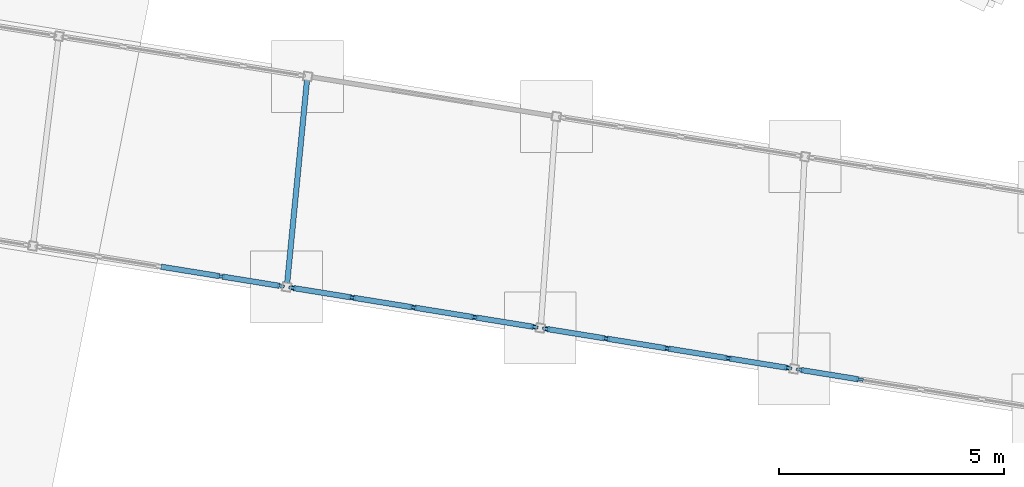
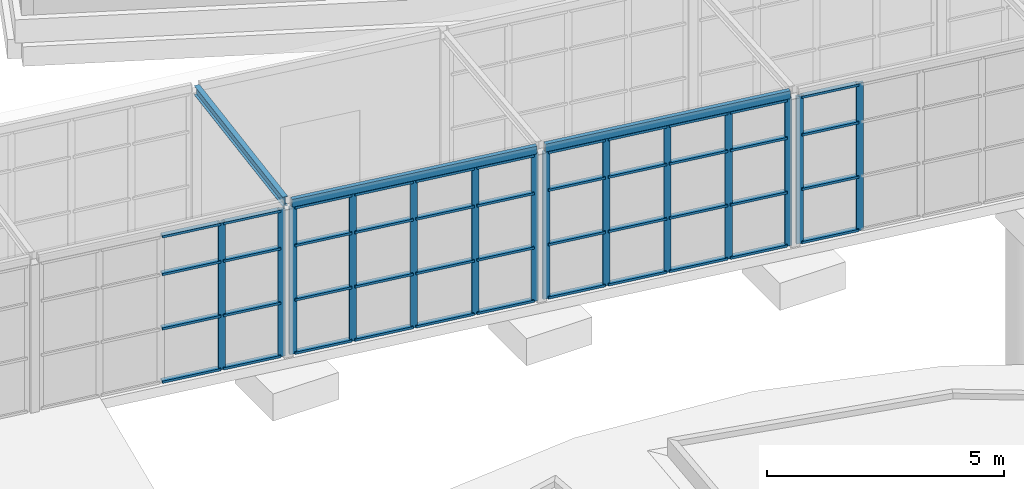
# One storey, part 79 of 226: 58 members, 3 beams, 4 elements without a shape of their own.
"""IFC4 building model written with IfcOpenShell, lengths in metres."""

import ifcopenshell
import ifcopenshell.guid

model = None  # the IFC model being written
_history = None  # IfcOwnerHistory: only IFC2X3 demands one
_inside = {}  # id of a spatial element -> (the spatial element, [elements in it])
_under = {}  # id of a project, library or spatial element -> (it, [spatial elements below it])
_declared = {}  # id of a project -> (the project, [libraries it declares])
_typed = {}  # id of a type object -> (the type object, [elements of that type])
_made_of = {}  # id of a material, layer set ... -> (it, [elements and type objects made of it])


def new_model(schema):
    """Start an empty IFC model of exactly this schema.

    Asked for "IFC4X3", IfcOpenShell would pick the latest addendum, in which some entities
    have other attributes; the version numbers below select the first issue.
    IFC2X3 requires an IfcOwnerHistory on every rooted entity: one is made here for all.
    """
    global model, _history
    if schema == "IFC4X3":
        model = ifcopenshell.file(schema_version=(4, 3, 0, 0))
    else:
        model = ifcopenshell.file(schema=schema)
    _inside.clear()
    _under.clear()
    _declared.clear()
    _typed.clear()
    _made_of.clear()
    _history = None
    if model.schema == "IFC2X3":
        org = make("IfcOrganization", Name="unknown")
        user = make(
            "IfcPersonAndOrganization",
            ThePerson=make("IfcPerson", FamilyName="unknown"),
            TheOrganization=org,
        )
        app = make(
            "IfcApplication",
            ApplicationDeveloper=org,
            Version="unknown",
            ApplicationFullName="unknown",
            ApplicationIdentifier="unknown",
        )
        _history = make(
            "IfcOwnerHistory",
            OwningUser=user,
            OwningApplication=app,
            ChangeAction="ADDED",
            CreationDate=0,
        )
    return model


def make(cls, **values):
    """One entity of the class cls with the attributes given. An attribute that is None is left unset."""
    return model.create_entity(
        cls, **{name: value for name, value in values.items() if value is not None}
    )


def rooted(cls, **values):
    """An entity with a GlobalId (a new one), such as an element, a storey or a relation."""
    return make(cls, GlobalId=ifcopenshell.guid.new(), OwnerHistory=_history, **values)


def si_unit(unit_type, name, prefix=None):
    """IfcSIUnit, for example si_unit("LENGTHUNIT", "METRE", prefix="MILLI")."""
    return make("IfcSIUnit", UnitType=unit_type, Prefix=prefix, Name=name)


def assignment(units):
    """IfcUnitAssignment: the units of a project."""
    return None if units is None else make("IfcUnitAssignment", Units=units)


def point(xyz):
    """IfcCartesianPoint."""
    return None if xyz is None else make("IfcCartesianPoint", Coordinates=xyz)


def direction(xyz):
    """IfcDirection."""
    return None if xyz is None else make("IfcDirection", DirectionRatios=xyz)


def frame(location, z_axis=None, x_axis=None):
    """IfcAxis2Placement3D, a coordinate frame: its origin and axes. An axis left out is left unset."""
    return make(
        "IfcAxis2Placement3D",
        Location=point(location),
        Axis=direction(z_axis),
        RefDirection=direction(x_axis),
    )


def frame_2d(location, x_axis=None):
    """IfcAxis2Placement2D, a coordinate frame in the plane: its origin and x axis."""
    return make(
        "IfcAxis2Placement2D", Location=point(location), RefDirection=direction(x_axis)
    )


def origin():
    """The frame at (0, 0, 0) with its axes left unset."""
    return frame((0.0, 0.0, 0.0))


def origin_2d():
    """The frame at (0, 0) in the plane with its x axis left unset."""
    return frame_2d((0.0, 0.0))


def place(relative_to, where):
    """IfcLocalPlacement: puts the frame where relative to a parent placement (None: the world)."""
    return make(
        "IfcLocalPlacement", PlacementRelTo=relative_to, RelativePlacement=where
    )


def context(
    kind, dimensions, precision=None, world=None, true_north=None, identifier=None
):
    """IfcGeometricRepresentationContext, for example the 3D "Model" context."""
    return make(
        "IfcGeometricRepresentationContext",
        ContextIdentifier=identifier,
        ContextType=kind,
        CoordinateSpaceDimension=dimensions,
        Precision=precision,
        WorldCoordinateSystem=world,
        TrueNorth=true_north,
    )


def subcontext(parent, identifier, kind, view, scale=None):
    """IfcGeometricRepresentationSubContext, for example "Body" below "Model"."""
    return make(
        "IfcGeometricRepresentationSubContext",
        ContextIdentifier=identifier,
        ContextType=kind,
        ParentContext=parent,
        TargetScale=scale,
        TargetView=view,
    )


def project(units=None, contexts=None):
    """IfcProject with its units and contexts."""
    return rooted(
        "IfcProject",
        Name="project",
        RepresentationContexts=contexts,
        UnitsInContext=assignment(units),
    )


def spatial(cls, under=None, at=None, **own):
    """A site, building, storey or space (cls), placed at a placement, below another one or the project."""
    s = rooted(cls, ObjectPlacement=at, **own)
    if under is not None:
        _under.setdefault(under.id(), (under, []))[1].append(s)
    return s


def profile(cls, at=None, kind="AREA", **sizes):
    """A parametric profile (cls). Its sizes go by their IFC names, for example OverallWidth=200.0."""
    return make(cls, ProfileType=kind, Position=at, **sizes)


def rectangle(**sizes):
    """IfcRectangleProfileDef."""
    return profile("IfcRectangleProfileDef", **sizes)


def hollow_rectangle(**sizes):
    """IfcRectangleHollowProfileDef."""
    return profile("IfcRectangleHollowProfileDef", **sizes)


def i_section(**sizes):
    """IfcIShapeProfileDef."""
    return profile("IfcIShapeProfileDef", **sizes)


def extrude(swept, where, along, depth):
    """IfcExtrudedAreaSolid: the profile swept, set in the frame where, extruded along a direction by depth."""
    return make(
        "IfcExtrudedAreaSolid",
        SweptArea=swept,
        Position=where,
        ExtrudedDirection=direction(along),
        Depth=depth,
    )


def shape(context_of_items, identifier, shape_type, items):
    """IfcShapeRepresentation: the items that make up one representation, for example the "Body"."""
    return make(
        "IfcShapeRepresentation",
        ContextOfItems=context_of_items,
        RepresentationIdentifier=identifier,
        RepresentationType=shape_type,
        Items=items,
    )


def material(Name=None, Category=None):
    """IfcMaterial."""
    return make("IfcMaterial", Name=Name, Category=Category)


def material_profile(
    of_material, cross_section, Name=None, Category=None, Priority=None
):
    """IfcMaterialProfile: a cross section and its material."""
    return make(
        "IfcMaterialProfile",
        Name=Name,
        Material=of_material,
        Profile=cross_section,
        Priority=Priority,
        Category=Category,
    )


def profile_set(profiles, Name=None, composite=None):
    """IfcMaterialProfileSet."""
    return make(
        "IfcMaterialProfileSet",
        Name=Name,
        MaterialProfiles=profiles,
        CompositeProfile=composite,
    )


def made_of(thing, what):
    """Note that an element or type object is made of a material, layer set ...; save() writes the relation."""
    if what is not None:
        _made_of.setdefault(what.id(), (what, []))[1].append(thing)
    return thing


def type_object(cls, material=None, **own):
    """A type object (cls), such as IfcWallType, which elements share."""
    return made_of(rooted(cls, **own), material)


def element(
    cls,
    number,
    at=None,
    inside=None,
    cuts=None,
    type_object=None,
    material=None,
    context=None,
    identifier="Body",
    shape_type=None,
    held_by="IfcProductDefinitionShape",
    body=None,
    shapes=None,
    **own,
):
    """One element of the class cls, such as IfcWall. Its Tag is "e" and its number.

    at: its placement. inside: the storey or other place that contains it. cuts: it is an
    opening in that element (IfcRelVoidsElement). A single representation is given by context,
    identifier, shape_type and body (its items); several are given by shapes. held_by: the class
    of the entity that holds the representations. save() writes the other relations.
    """
    e = rooted(cls, Tag="e%d" % number, ObjectPlacement=at, **own)
    if body is not None:
        shapes = [shape(context, identifier, shape_type, body)]
    if shapes is not None:
        e.Representation = make(held_by, Representations=shapes)
    if inside is not None:
        _inside.setdefault(inside.id(), (inside, []))[1].append(e)
    if cuts is not None:
        rooted(
            "IfcRelVoidsElement", RelatingBuildingElement=cuts, RelatedOpeningElement=e
        )
    if type_object is not None:
        _typed.setdefault(type_object.id(), (type_object, []))[1].append(e)
    return made_of(e, material)


def aggregate(whole, parts):
    """IfcRelAggregates: a whole, such as a stair, and the parts it consists of."""
    return rooted("IfcRelAggregates", RelatingObject=whole, RelatedObjects=parts)


def save(model, path):
    """Write the relations noted so far, then the file.

    IfcRelAggregates (storeys below a building ...), IfcRelContainedInSpatialStructure (elements
    in a storey), IfcRelDefinesByType, IfcRelAssociatesMaterial and IfcRelDeclares: one each for
    every whole, place, type object, material and project.
    """
    for whole, parts in _under.values():
        aggregate(whole, parts)
    for where, things in _inside.values():
        rooted(
            "IfcRelContainedInSpatialStructure",
            RelatedElements=things,
            RelatingStructure=where,
        )
    for kind, things in _typed.values():
        rooted("IfcRelDefinesByType", RelatedObjects=things, RelatingType=kind)
    for what, things in _made_of.values():
        rooted("IfcRelAssociatesMaterial", RelatedObjects=things, RelatingMaterial=what)
    for by, libraries in _declared.values():
        rooted("IfcRelDeclares", RelatingContext=by, RelatedDefinitions=libraries)
    model.write(path)


model = new_model("IFC4")

# Units and contexts
model_context = context("Model", 3, precision=1e-05, world=origin(), true_north=direction((0.0, 1.0)))
body_context = subcontext(model_context, "Body", "Model", "MODEL_VIEW")
ifc_project = project(units=[si_unit("LENGTHUNIT", "METRE"), si_unit("AREAUNIT", "SQUARE_METRE"), si_unit("VOLUMEUNIT", "CUBIC_METRE"), si_unit("PLANEANGLEUNIT", "RADIAN"), si_unit("MASSUNIT", "GRAM", prefix="KILO")], contexts=[model_context])

# Site, building, storey
site_placement = place(None, origin())
site = spatial("IfcSite", under=ifc_project, at=site_placement, CompositionType="ELEMENT")
building_placement = place(site_placement, origin())
building = spatial("IfcBuilding", under=site, at=building_placement, Name="Ceibo Conservatory and Research Tower", CompositionType="ELEMENT")
storey_placement = place(building_placement, origin())
storey = spatial("IfcBuildingStorey", under=building, at=storey_placement, Name="L00", CompositionType="ELEMENT", Elevation=0.0)

# Curtain wall, members
ifc_material_1 = material(Name="Aluminium and glass", Category="aluminium")
curtain_wall_type = type_object("IfcCurtainWallType", Name="Gallery curtain wall", PredefinedType="NOTDEFINED", material=ifc_material_1)
curtain_wall_1_placement = place(storey_placement, origin())
curtain_wall_1 = element("IfcCurtainWall", 1, at=curtain_wall_1_placement, inside=storey, type_object=curtain_wall_type, Name="Gallery curtain wall A-RT-CWN03", PredefinedType="NOTDEFINED")
ifc_material_2 = material(Name="Aluminium", Category="aluminium")
ifc_material_profile_1 = material_profile(ifc_material_2, rectangle(XDim=0.06005859375, YDim=0.159912109375, at=origin_2d()), Name="AL 60x160")
ifc_profile_set_1 = profile_set([ifc_material_profile_1], Name="Aluminium")
member_type_1 = type_object("IfcMemberType", Name="Gallery mullion 60x160", PredefinedType="MULLION", material=ifc_profile_set_1)
member_1_placement = place(storey_placement, frame((105.02197265625, 107.620361328125, 0.0), z_axis=(0.0, 0.0, 1.0), x_axis=(-0.159391110254, -0.987215515464, 0.0)))
member_1 = element("IfcMember", 2, at=member_1_placement, type_object=member_type_1, Name="A-RT-CWN03 mullion 4", PredefinedType="MULLION", context=body_context, shape_type="SweptSolid", body=[
    extrude(rectangle(XDim=0.06005859375, YDim=0.159912109375, at=origin_2d()), origin(), (0.0, 0.0, 1.0), 3.800048828125),
])
member_2_placement = place(storey_placement, frame((103.689697265625, 107.83544921875, 0.0), z_axis=(0.0, 0.0, 1.0), x_axis=(-0.159391110254, -0.987215515464, 0.0)))
member_2 = element("IfcMember", 3, at=member_2_placement, type_object=member_type_1, Name="A-RT-CWN03 mullion 5", PredefinedType="MULLION", context=body_context, shape_type="SweptSolid", body=[
    extrude(rectangle(XDim=0.06005859375, YDim=0.159912109375, at=origin_2d()), origin(), (0.0, 0.0, 1.0), 3.800048828125),
])

curtain_wall_2_placement = place(storey_placement, origin())
curtain_wall_2 = element("IfcCurtainWall", 4, at=curtain_wall_2_placement, inside=storey, type_object=curtain_wall_type, Name="Gallery curtain wall A-RT-CWN04", PredefinedType="NOTDEFINED")
member_3_placement = place(storey_placement, frame((103.432861328125, 107.876953125, 0.0), z_axis=(0.0, 0.0, 1.0), x_axis=(-0.159391110254, -0.987215515464, 0.0)))
member_3 = element("IfcMember", 5, at=member_3_placement, type_object=member_type_1, Name="A-RT-CWN04 mullion 1", PredefinedType="MULLION", context=body_context, shape_type="SweptSolid", body=[
    extrude(rectangle(XDim=0.06005859375, YDim=0.159912109375, at=origin_2d()), origin(), (0.0, 0.0, 1.0), 3.800048828125),
])
member_4_placement = place(storey_placement, frame((102.1005859375, 108.092041015625, 0.0), z_axis=(0.0, 0.0, 1.0), x_axis=(-0.159391110254, -0.987215515464, 0.0)))
member_4 = element("IfcMember", 6, at=member_4_placement, type_object=member_type_1, Name="A-RT-CWN04 mullion 2", PredefinedType="MULLION", context=body_context, shape_type="SweptSolid", body=[
    extrude(rectangle(XDim=0.06005859375, YDim=0.159912109375, at=origin_2d()), origin(), (0.0, 0.0, 1.0), 3.800048828125),
])
member_5_placement = place(storey_placement, frame((100.73876953125, 108.31201171875, 0.0), z_axis=(0.0, 0.0, 1.0), x_axis=(-0.159391110254, -0.987215515464, 0.0)))
member_5 = element("IfcMember", 7, at=member_5_placement, type_object=member_type_1, Name="A-RT-CWN04 mullion 3", PredefinedType="MULLION", context=body_context, shape_type="SweptSolid", body=[
    extrude(rectangle(XDim=0.06005859375, YDim=0.159912109375, at=origin_2d()), origin(), (0.0, 0.0, 1.0), 3.800048828125),
])
member_6_placement = place(storey_placement, frame((99.376953125, 108.53173828125, 0.0), z_axis=(0.0, 0.0, 1.0), x_axis=(-0.159391110254, -0.987215515464, 0.0)))
member_6 = element("IfcMember", 8, at=member_6_placement, type_object=member_type_1, Name="A-RT-CWN04 mullion 4", PredefinedType="MULLION", context=body_context, shape_type="SweptSolid", body=[
    extrude(rectangle(XDim=0.06005859375, YDim=0.159912109375, at=origin_2d()), origin(), (0.0, 0.0, 1.0), 3.800048828125),
])
member_7_placement = place(storey_placement, frame((98.044677734375, 108.746826171875, 0.0), z_axis=(0.0, 0.0, 1.0), x_axis=(-0.159391110254, -0.987215515464, 0.0)))
member_7 = element("IfcMember", 9, at=member_7_placement, type_object=member_type_1, Name="A-RT-CWN04 mullion 5", PredefinedType="MULLION", context=body_context, shape_type="SweptSolid", body=[
    extrude(rectangle(XDim=0.06005859375, YDim=0.159912109375, at=origin_2d()), origin(), (0.0, 0.0, 1.0), 3.800048828125),
])

curtain_wall_3_placement = place(storey_placement, origin())
curtain_wall_3 = element("IfcCurtainWall", 10, at=curtain_wall_3_placement, inside=storey, type_object=curtain_wall_type, Name="Gallery curtain wall A-RT-CWN05", PredefinedType="NOTDEFINED")
member_8_placement = place(storey_placement, frame((97.787841796875, 108.788330078125, 0.0), z_axis=(0.0, 0.0, 1.0), x_axis=(-0.159391110254, -0.987215515464, 0.0)))
member_8 = element("IfcMember", 11, at=member_8_placement, type_object=member_type_1, Name="A-RT-CWN05 mullion 1", PredefinedType="MULLION", context=body_context, shape_type="SweptSolid", body=[
    extrude(rectangle(XDim=0.06005859375, YDim=0.159912109375, at=origin_2d()), origin(), (0.0, 0.0, 1.0), 3.800048828125),
])
member_9_placement = place(storey_placement, frame((96.45556640625, 109.00341796875, 0.0), z_axis=(0.0, 0.0, 1.0), x_axis=(-0.159391110254, -0.987215515464, 0.0)))
member_9 = element("IfcMember", 12, at=member_9_placement, type_object=member_type_1, Name="A-RT-CWN05 mullion 2", PredefinedType="MULLION", context=body_context, shape_type="SweptSolid", body=[
    extrude(rectangle(XDim=0.06005859375, YDim=0.159912109375, at=origin_2d()), origin(), (0.0, 0.0, 1.0), 3.800048828125),
])
member_10_placement = place(storey_placement, frame((95.09375, 109.223388671875, 0.0), z_axis=(0.0, 0.0, 1.0), x_axis=(-0.159391110254, -0.987215515464, 0.0)))
member_10 = element("IfcMember", 13, at=member_10_placement, type_object=member_type_1, Name="A-RT-CWN05 mullion 3", PredefinedType="MULLION", context=body_context, shape_type="SweptSolid", body=[
    extrude(rectangle(XDim=0.06005859375, YDim=0.159912109375, at=origin_2d()), origin(), (0.0, 0.0, 1.0), 3.800048828125),
])
member_11_placement = place(storey_placement, frame((93.73193359375, 109.443115234375, 0.0), z_axis=(0.0, 0.0, 1.0), x_axis=(-0.159391110254, -0.987215515464, 0.0)))
member_11 = element("IfcMember", 14, at=member_11_placement, type_object=member_type_1, Name="A-RT-CWN05 mullion 4", PredefinedType="MULLION", context=body_context, shape_type="SweptSolid", body=[
    extrude(rectangle(XDim=0.06005859375, YDim=0.159912109375, at=origin_2d()), origin(), (0.0, 0.0, 1.0), 3.800048828125),
])
member_12_placement = place(storey_placement, frame((92.399658203125, 109.658447265625, 0.0), z_axis=(0.0, 0.0, 1.0), x_axis=(-0.159391110254, -0.987215515464, 0.0)))
member_12 = element("IfcMember", 15, at=member_12_placement, type_object=member_type_1, Name="A-RT-CWN05 mullion 5", PredefinedType="MULLION", context=body_context, shape_type="SweptSolid", body=[
    extrude(rectangle(XDim=0.06005859375, YDim=0.159912109375, at=origin_2d()), origin(), (0.0, 0.0, 1.0), 3.800048828125),
])

curtain_wall_4_placement = place(storey_placement, origin())
curtain_wall_4 = element("IfcCurtainWall", 16, at=curtain_wall_4_placement, inside=storey, type_object=curtain_wall_type, Name="Gallery curtain wall A-RT-CWN06", PredefinedType="NOTDEFINED")
member_13_placement = place(storey_placement, frame((92.142822265625, 109.69970703125, 0.0), z_axis=(0.0, 0.0, 1.0), x_axis=(-0.159391110254, -0.987215515464, 0.0)))
member_13 = element("IfcMember", 17, at=member_13_placement, type_object=member_type_1, Name="A-RT-CWN06 mullion 1", PredefinedType="MULLION", context=body_context, shape_type="SweptSolid", body=[
    extrude(rectangle(XDim=0.06005859375, YDim=0.159912109375, at=origin_2d()), origin(), (0.0, 0.0, 1.0), 3.800048828125),
])
member_14_placement = place(storey_placement, frame((90.810546875, 109.914794921875, 0.0), z_axis=(0.0, 0.0, 1.0), x_axis=(-0.159391110254, -0.987215515464, 0.0)))
member_14 = element("IfcMember", 18, at=member_14_placement, type_object=member_type_1, Name="A-RT-CWN06 mullion 2", PredefinedType="MULLION", context=body_context, shape_type="SweptSolid", body=[
    extrude(rectangle(XDim=0.06005859375, YDim=0.159912109375, at=origin_2d()), origin(), (0.0, 0.0, 1.0), 3.800048828125),
])

# Member
ifc_material_profile_2 = material_profile(ifc_material_2, rectangle(XDim=0.1201171875, YDim=0.06005859375, at=origin_2d()), Name="AL 60x120")
ifc_profile_set_2 = profile_set([ifc_material_profile_2], Name="Aluminium")
member_type_2 = type_object("IfcMemberType", Name="Gallery transom 60x120", PredefinedType="USERDEFINED", material=ifc_profile_set_2)
member_15_placement = place(storey_placement, frame((104.992431640625, 107.625244140625, 0.030029296875), z_axis=(-0.987215188865, 0.159393133082, 0.0), x_axis=(-0.159393133082, -0.987215188865, 0.0)))
member_15 = element("IfcMember", 19, at=member_15_placement, type_object=member_type_2, Name="A-RT-CWN03 transom 4.1", ObjectType="TRANSOM", PredefinedType="USERDEFINED", context=body_context, shape_type="SweptSolid", body=[
    extrude(rectangle(XDim=0.1201171875, YDim=0.06005859375, at=origin_2d()), origin(), (0.0, 0.0, 1.0), 1.289794921875),
])

member_16_placement = place(storey_placement, frame((104.992431640625, 107.625244140625, 1.39990234375), z_axis=(-0.987215188865, 0.159393133082, 0.0), x_axis=(-0.159393133082, -0.987215188865, 0.0)))
member_16 = element("IfcMember", 20, at=member_16_placement, type_object=member_type_2, Name="A-RT-CWN03 transom 4.2", ObjectType="TRANSOM", PredefinedType="USERDEFINED", context=body_context, shape_type="SweptSolid", body=[
    extrude(rectangle(XDim=0.1201171875, YDim=0.06005859375, at=origin_2d()), origin(), (0.0, 0.0, 1.0), 1.289794921875),
])

member_17_placement = place(storey_placement, frame((104.992431640625, 107.625244140625, 2.800048828125), z_axis=(-0.987215188865, 0.159393133082, 0.0), x_axis=(-0.159393133082, -0.987215188865, 0.0)))
member_17 = element("IfcMember", 21, at=member_17_placement, type_object=member_type_2, Name="A-RT-CWN03 transom 4.3", ObjectType="TRANSOM", PredefinedType="USERDEFINED", context=body_context, shape_type="SweptSolid", body=[
    extrude(rectangle(XDim=0.1201171875, YDim=0.06005859375, at=origin_2d()), origin(), (0.0, 0.0, 1.0), 1.289794921875),
])

member_18_placement = place(storey_placement, frame((104.992431640625, 107.625244140625, 3.77001953125), z_axis=(-0.987215188865, 0.159393133082, 0.0), x_axis=(-0.159393133082, -0.987215188865, 0.0)))
member_18 = element("IfcMember", 22, at=member_18_placement, type_object=member_type_2, Name="A-RT-CWN03 transom 4.4", ObjectType="TRANSOM", PredefinedType="USERDEFINED", context=body_context, shape_type="SweptSolid", body=[
    extrude(rectangle(XDim=0.1201171875, YDim=0.06005859375, at=origin_2d()), origin(), (0.0, 0.0, 1.0), 1.289794921875),
])

aggregate(curtain_wall_1, [member_1, member_2, member_15, member_16, member_17, member_18])

member_19_placement = place(storey_placement, frame((103.4033203125, 107.881591796875, 0.030029296875), z_axis=(-0.987210378052, 0.159422926413, 0.0), x_axis=(-0.159422926413, -0.987210378052, 0.0)))
member_19 = element("IfcMember", 23, at=member_19_placement, type_object=member_type_2, Name="A-RT-CWN04 transom 1.1", ObjectType="TRANSOM", PredefinedType="USERDEFINED", context=body_context, shape_type="SweptSolid", body=[
    extrude(rectangle(XDim=0.1201171875, YDim=0.06005859375, at=origin_2d()), origin(), (0.0, 0.0, 1.0), 1.28955078125),
])

member_20_placement = place(storey_placement, frame((103.4033203125, 107.881591796875, 1.39990234375), z_axis=(-0.987210378052, 0.159422926413, 0.0), x_axis=(-0.159422926413, -0.987210378052, 0.0)))
member_20 = element("IfcMember", 24, at=member_20_placement, type_object=member_type_2, Name="A-RT-CWN04 transom 1.2", ObjectType="TRANSOM", PredefinedType="USERDEFINED", context=body_context, shape_type="SweptSolid", body=[
    extrude(rectangle(XDim=0.1201171875, YDim=0.06005859375, at=origin_2d()), origin(), (0.0, 0.0, 1.0), 1.28955078125),
])

member_21_placement = place(storey_placement, frame((103.4033203125, 107.881591796875, 2.800048828125), z_axis=(-0.987210378052, 0.159422926413, 0.0), x_axis=(-0.159422926413, -0.987210378052, 0.0)))
member_21 = element("IfcMember", 25, at=member_21_placement, type_object=member_type_2, Name="A-RT-CWN04 transom 1.3", ObjectType="TRANSOM", PredefinedType="USERDEFINED", context=body_context, shape_type="SweptSolid", body=[
    extrude(rectangle(XDim=0.1201171875, YDim=0.06005859375, at=origin_2d()), origin(), (0.0, 0.0, 1.0), 1.28955078125),
])

member_22_placement = place(storey_placement, frame((103.4033203125, 107.881591796875, 3.77001953125), z_axis=(-0.987210378052, 0.159422926413, 0.0), x_axis=(-0.159422926413, -0.987210378052, 0.0)))
member_22 = element("IfcMember", 26, at=member_22_placement, type_object=member_type_2, Name="A-RT-CWN04 transom 1.4", ObjectType="TRANSOM", PredefinedType="USERDEFINED", context=body_context, shape_type="SweptSolid", body=[
    extrude(rectangle(XDim=0.1201171875, YDim=0.06005859375, at=origin_2d()), origin(), (0.0, 0.0, 1.0), 1.28955078125),
])

member_23_placement = place(storey_placement, frame((102.071044921875, 108.096923828125, 0.030029296875), z_axis=(-0.987230798426, 0.159296423809, 0.0), x_axis=(-0.159296423809, -0.987230798426, 0.0)))
member_23 = element("IfcMember", 27, at=member_23_placement, type_object=member_type_2, Name="A-RT-CWN04 transom 2.1", ObjectType="TRANSOM", PredefinedType="USERDEFINED", context=body_context, shape_type="SweptSolid", body=[
    extrude(rectangle(XDim=0.1201171875, YDim=0.06005859375, at=origin_2d()), origin(), (0.0, 0.0, 1.0), 1.319580078125),
])

member_24_placement = place(storey_placement, frame((102.071044921875, 108.096923828125, 1.39990234375), z_axis=(-0.987230798426, 0.159296423809, 0.0), x_axis=(-0.159296423809, -0.987230798426, 0.0)))
member_24 = element("IfcMember", 28, at=member_24_placement, type_object=member_type_2, Name="A-RT-CWN04 transom 2.2", ObjectType="TRANSOM", PredefinedType="USERDEFINED", context=body_context, shape_type="SweptSolid", body=[
    extrude(rectangle(XDim=0.1201171875, YDim=0.06005859375, at=origin_2d()), origin(), (0.0, 0.0, 1.0), 1.319580078125),
])

member_25_placement = place(storey_placement, frame((102.071044921875, 108.096923828125, 2.800048828125), z_axis=(-0.987230798426, 0.159296423809, 0.0), x_axis=(-0.159296423809, -0.987230798426, 0.0)))
member_25 = element("IfcMember", 29, at=member_25_placement, type_object=member_type_2, Name="A-RT-CWN04 transom 2.3", ObjectType="TRANSOM", PredefinedType="USERDEFINED", context=body_context, shape_type="SweptSolid", body=[
    extrude(rectangle(XDim=0.1201171875, YDim=0.06005859375, at=origin_2d()), origin(), (0.0, 0.0, 1.0), 1.319580078125),
])

member_26_placement = place(storey_placement, frame((102.071044921875, 108.096923828125, 3.77001953125), z_axis=(-0.987230798426, 0.159296423809, 0.0), x_axis=(-0.159296423809, -0.987230798426, 0.0)))
member_26 = element("IfcMember", 30, at=member_26_placement, type_object=member_type_2, Name="A-RT-CWN04 transom 2.4", ObjectType="TRANSOM", PredefinedType="USERDEFINED", context=body_context, shape_type="SweptSolid", body=[
    extrude(rectangle(XDim=0.1201171875, YDim=0.06005859375, at=origin_2d()), origin(), (0.0, 0.0, 1.0), 1.319580078125),
])

member_27_placement = place(storey_placement, frame((100.709228515625, 108.316650390625, 0.030029296875), z_axis=(-0.987201687199, 0.159476734326, 0.0), x_axis=(-0.159476734326, -0.987201687199, 0.0)))
member_27 = element("IfcMember", 31, at=member_27_placement, type_object=member_type_2, Name="A-RT-CWN04 transom 3.1", ObjectType="TRANSOM", PredefinedType="USERDEFINED", context=body_context, shape_type="SweptSolid", body=[
    extrude(rectangle(XDim=0.1201171875, YDim=0.06005859375, at=origin_2d()), origin(), (0.0, 0.0, 1.0), 1.319580078125),
])

member_28_placement = place(storey_placement, frame((100.709228515625, 108.316650390625, 1.39990234375), z_axis=(-0.987201687199, 0.159476734326, 0.0), x_axis=(-0.159476734326, -0.987201687199, 0.0)))
member_28 = element("IfcMember", 32, at=member_28_placement, type_object=member_type_2, Name="A-RT-CWN04 transom 3.2", ObjectType="TRANSOM", PredefinedType="USERDEFINED", context=body_context, shape_type="SweptSolid", body=[
    extrude(rectangle(XDim=0.1201171875, YDim=0.06005859375, at=origin_2d()), origin(), (0.0, 0.0, 1.0), 1.319580078125),
])

member_29_placement = place(storey_placement, frame((100.709228515625, 108.316650390625, 2.800048828125), z_axis=(-0.987201687199, 0.159476734326, 0.0), x_axis=(-0.159476734326, -0.987201687199, 0.0)))
member_29 = element("IfcMember", 33, at=member_29_placement, type_object=member_type_2, Name="A-RT-CWN04 transom 3.3", ObjectType="TRANSOM", PredefinedType="USERDEFINED", context=body_context, shape_type="SweptSolid", body=[
    extrude(rectangle(XDim=0.1201171875, YDim=0.06005859375, at=origin_2d()), origin(), (0.0, 0.0, 1.0), 1.319580078125),
])

member_30_placement = place(storey_placement, frame((100.709228515625, 108.316650390625, 3.77001953125), z_axis=(-0.987201687199, 0.159476734326, 0.0), x_axis=(-0.159476734326, -0.987201687199, 0.0)))
member_30 = element("IfcMember", 34, at=member_30_placement, type_object=member_type_2, Name="A-RT-CWN04 transom 3.4", ObjectType="TRANSOM", PredefinedType="USERDEFINED", context=body_context, shape_type="SweptSolid", body=[
    extrude(rectangle(XDim=0.1201171875, YDim=0.06005859375, at=origin_2d()), origin(), (0.0, 0.0, 1.0), 1.319580078125),
])

member_31_placement = place(storey_placement, frame((99.34716796875, 108.53662109375, 0.030029296875), z_axis=(-0.987210378052, 0.159422926413, 0.0), x_axis=(-0.159422926413, -0.987210378052, 0.0)))
member_31 = element("IfcMember", 35, at=member_31_placement, type_object=member_type_2, Name="A-RT-CWN04 transom 4.1", ObjectType="TRANSOM", PredefinedType="USERDEFINED", context=body_context, shape_type="SweptSolid", body=[
    extrude(rectangle(XDim=0.1201171875, YDim=0.06005859375, at=origin_2d()), origin(), (0.0, 0.0, 1.0), 1.28955078125),
])

member_32_placement = place(storey_placement, frame((99.34716796875, 108.53662109375, 1.39990234375), z_axis=(-0.987210378052, 0.159422926413, 0.0), x_axis=(-0.159422926413, -0.987210378052, 0.0)))
member_32 = element("IfcMember", 36, at=member_32_placement, type_object=member_type_2, Name="A-RT-CWN04 transom 4.2", ObjectType="TRANSOM", PredefinedType="USERDEFINED", context=body_context, shape_type="SweptSolid", body=[
    extrude(rectangle(XDim=0.1201171875, YDim=0.06005859375, at=origin_2d()), origin(), (0.0, 0.0, 1.0), 1.28955078125),
])

member_33_placement = place(storey_placement, frame((99.34716796875, 108.53662109375, 2.800048828125), z_axis=(-0.987210378052, 0.159422926413, 0.0), x_axis=(-0.159422926413, -0.987210378052, 0.0)))
member_33 = element("IfcMember", 37, at=member_33_placement, type_object=member_type_2, Name="A-RT-CWN04 transom 4.3", ObjectType="TRANSOM", PredefinedType="USERDEFINED", context=body_context, shape_type="SweptSolid", body=[
    extrude(rectangle(XDim=0.1201171875, YDim=0.06005859375, at=origin_2d()), origin(), (0.0, 0.0, 1.0), 1.28955078125),
])

member_34_placement = place(storey_placement, frame((99.34716796875, 108.53662109375, 3.77001953125), z_axis=(-0.987210378052, 0.159422926413, 0.0), x_axis=(-0.159422926413, -0.987210378052, 0.0)))
member_34 = element("IfcMember", 38, at=member_34_placement, type_object=member_type_2, Name="A-RT-CWN04 transom 4.4", ObjectType="TRANSOM", PredefinedType="USERDEFINED", context=body_context, shape_type="SweptSolid", body=[
    extrude(rectangle(XDim=0.1201171875, YDim=0.06005859375, at=origin_2d()), origin(), (0.0, 0.0, 1.0), 1.28955078125),
])

aggregate(curtain_wall_2, [member_3, member_4, member_5, member_6, member_7, member_19, member_20, member_21, member_22, member_23, member_24, member_25, member_26, member_27, member_28, member_29, member_30, member_31, member_32, member_33, member_34])

member_35_placement = place(storey_placement, frame((97.75830078125, 108.793212890625, 0.030029296875), z_axis=(-0.987210378052, 0.159422926413, 0.0), x_axis=(-0.159422926413, -0.987210378052, 0.0)))
member_35 = element("IfcMember", 39, at=member_35_placement, type_object=member_type_2, Name="A-RT-CWN05 transom 1.1", ObjectType="TRANSOM", PredefinedType="USERDEFINED", context=body_context, shape_type="SweptSolid", body=[
    extrude(rectangle(XDim=0.1201171875, YDim=0.06005859375, at=origin_2d()), origin(), (0.0, 0.0, 1.0), 1.28955078125),
])

member_36_placement = place(storey_placement, frame((97.75830078125, 108.793212890625, 1.39990234375), z_axis=(-0.987210378052, 0.159422926413, 0.0), x_axis=(-0.159422926413, -0.987210378052, 0.0)))
member_36 = element("IfcMember", 40, at=member_36_placement, type_object=member_type_2, Name="A-RT-CWN05 transom 1.2", ObjectType="TRANSOM", PredefinedType="USERDEFINED", context=body_context, shape_type="SweptSolid", body=[
    extrude(rectangle(XDim=0.1201171875, YDim=0.06005859375, at=origin_2d()), origin(), (0.0, 0.0, 1.0), 1.28955078125),
])

member_37_placement = place(storey_placement, frame((97.75830078125, 108.793212890625, 2.800048828125), z_axis=(-0.987210378052, 0.159422926413, 0.0), x_axis=(-0.159422926413, -0.987210378052, 0.0)))
member_37 = element("IfcMember", 41, at=member_37_placement, type_object=member_type_2, Name="A-RT-CWN05 transom 1.3", ObjectType="TRANSOM", PredefinedType="USERDEFINED", context=body_context, shape_type="SweptSolid", body=[
    extrude(rectangle(XDim=0.1201171875, YDim=0.06005859375, at=origin_2d()), origin(), (0.0, 0.0, 1.0), 1.28955078125),
])

member_38_placement = place(storey_placement, frame((97.75830078125, 108.793212890625, 3.77001953125), z_axis=(-0.987210378052, 0.159422926413, 0.0), x_axis=(-0.159422926413, -0.987210378052, 0.0)))
member_38 = element("IfcMember", 42, at=member_38_placement, type_object=member_type_2, Name="A-RT-CWN05 transom 1.4", ObjectType="TRANSOM", PredefinedType="USERDEFINED", context=body_context, shape_type="SweptSolid", body=[
    extrude(rectangle(XDim=0.1201171875, YDim=0.06005859375, at=origin_2d()), origin(), (0.0, 0.0, 1.0), 1.28955078125),
])

member_39_placement = place(storey_placement, frame((96.426025390625, 109.00830078125, 0.030029296875), z_axis=(-0.987230798426, 0.159296423809, 0.0), x_axis=(-0.159296423809, -0.987230798426, 0.0)))
member_39 = element("IfcMember", 43, at=member_39_placement, type_object=member_type_2, Name="A-RT-CWN05 transom 2.1", ObjectType="TRANSOM", PredefinedType="USERDEFINED", context=body_context, shape_type="SweptSolid", body=[
    extrude(rectangle(XDim=0.1201171875, YDim=0.06005859375, at=origin_2d()), origin(), (0.0, 0.0, 1.0), 1.319580078125),
])

member_40_placement = place(storey_placement, frame((96.426025390625, 109.00830078125, 1.39990234375), z_axis=(-0.987230798426, 0.159296423809, 0.0), x_axis=(-0.159296423809, -0.987230798426, 0.0)))
member_40 = element("IfcMember", 44, at=member_40_placement, type_object=member_type_2, Name="A-RT-CWN05 transom 2.2", ObjectType="TRANSOM", PredefinedType="USERDEFINED", context=body_context, shape_type="SweptSolid", body=[
    extrude(rectangle(XDim=0.1201171875, YDim=0.06005859375, at=origin_2d()), origin(), (0.0, 0.0, 1.0), 1.319580078125),
])

member_41_placement = place(storey_placement, frame((96.426025390625, 109.00830078125, 2.800048828125), z_axis=(-0.987230798426, 0.159296423809, 0.0), x_axis=(-0.159296423809, -0.987230798426, 0.0)))
member_41 = element("IfcMember", 45, at=member_41_placement, type_object=member_type_2, Name="A-RT-CWN05 transom 2.3", ObjectType="TRANSOM", PredefinedType="USERDEFINED", context=body_context, shape_type="SweptSolid", body=[
    extrude(rectangle(XDim=0.1201171875, YDim=0.06005859375, at=origin_2d()), origin(), (0.0, 0.0, 1.0), 1.319580078125),
])

member_42_placement = place(storey_placement, frame((96.426025390625, 109.00830078125, 3.77001953125), z_axis=(-0.987230798426, 0.159296423809, 0.0), x_axis=(-0.159296423809, -0.987230798426, 0.0)))
member_42 = element("IfcMember", 46, at=member_42_placement, type_object=member_type_2, Name="A-RT-CWN05 transom 2.4", ObjectType="TRANSOM", PredefinedType="USERDEFINED", context=body_context, shape_type="SweptSolid", body=[
    extrude(rectangle(XDim=0.1201171875, YDim=0.06005859375, at=origin_2d()), origin(), (0.0, 0.0, 1.0), 1.319580078125),
])

member_43_placement = place(storey_placement, frame((95.064208984375, 109.22802734375, 0.030029296875), z_axis=(-0.987201687199, 0.159476734326, 0.0), x_axis=(-0.159476734326, -0.987201687199, 0.0)))
member_43 = element("IfcMember", 47, at=member_43_placement, type_object=member_type_2, Name="A-RT-CWN05 transom 3.1", ObjectType="TRANSOM", PredefinedType="USERDEFINED", context=body_context, shape_type="SweptSolid", body=[
    extrude(rectangle(XDim=0.1201171875, YDim=0.06005859375, at=origin_2d()), origin(), (0.0, 0.0, 1.0), 1.319580078125),
])

member_44_placement = place(storey_placement, frame((95.064208984375, 109.22802734375, 1.39990234375), z_axis=(-0.987201687199, 0.159476734326, 0.0), x_axis=(-0.159476734326, -0.987201687199, 0.0)))
member_44 = element("IfcMember", 48, at=member_44_placement, type_object=member_type_2, Name="A-RT-CWN05 transom 3.2", ObjectType="TRANSOM", PredefinedType="USERDEFINED", context=body_context, shape_type="SweptSolid", body=[
    extrude(rectangle(XDim=0.1201171875, YDim=0.06005859375, at=origin_2d()), origin(), (0.0, 0.0, 1.0), 1.319580078125),
])

member_45_placement = place(storey_placement, frame((95.064208984375, 109.22802734375, 2.800048828125), z_axis=(-0.987201687199, 0.159476734326, 0.0), x_axis=(-0.159476734326, -0.987201687199, 0.0)))
member_45 = element("IfcMember", 49, at=member_45_placement, type_object=member_type_2, Name="A-RT-CWN05 transom 3.3", ObjectType="TRANSOM", PredefinedType="USERDEFINED", context=body_context, shape_type="SweptSolid", body=[
    extrude(rectangle(XDim=0.1201171875, YDim=0.06005859375, at=origin_2d()), origin(), (0.0, 0.0, 1.0), 1.319580078125),
])

member_46_placement = place(storey_placement, frame((95.064208984375, 109.22802734375, 3.77001953125), z_axis=(-0.987201687199, 0.159476734326, 0.0), x_axis=(-0.159476734326, -0.987201687199, 0.0)))
member_46 = element("IfcMember", 50, at=member_46_placement, type_object=member_type_2, Name="A-RT-CWN05 transom 3.4", ObjectType="TRANSOM", PredefinedType="USERDEFINED", context=body_context, shape_type="SweptSolid", body=[
    extrude(rectangle(XDim=0.1201171875, YDim=0.06005859375, at=origin_2d()), origin(), (0.0, 0.0, 1.0), 1.319580078125),
])

member_47_placement = place(storey_placement, frame((93.7021484375, 109.447998046875, 0.030029296875), z_axis=(-0.987210378052, 0.159422926413, 0.0), x_axis=(-0.159422926413, -0.987210378052, 0.0)))
member_47 = element("IfcMember", 51, at=member_47_placement, type_object=member_type_2, Name="A-RT-CWN05 transom 4.1", ObjectType="TRANSOM", PredefinedType="USERDEFINED", context=body_context, shape_type="SweptSolid", body=[
    extrude(rectangle(XDim=0.1201171875, YDim=0.06005859375, at=origin_2d()), origin(), (0.0, 0.0, 1.0), 1.28955078125),
])

member_48_placement = place(storey_placement, frame((93.7021484375, 109.447998046875, 1.39990234375), z_axis=(-0.987210378052, 0.159422926413, 0.0), x_axis=(-0.159422926413, -0.987210378052, 0.0)))
member_48 = element("IfcMember", 52, at=member_48_placement, type_object=member_type_2, Name="A-RT-CWN05 transom 4.2", ObjectType="TRANSOM", PredefinedType="USERDEFINED", context=body_context, shape_type="SweptSolid", body=[
    extrude(rectangle(XDim=0.1201171875, YDim=0.06005859375, at=origin_2d()), origin(), (0.0, 0.0, 1.0), 1.28955078125),
])

member_49_placement = place(storey_placement, frame((93.7021484375, 109.447998046875, 2.800048828125), z_axis=(-0.987210378052, 0.159422926413, 0.0), x_axis=(-0.159422926413, -0.987210378052, 0.0)))
member_49 = element("IfcMember", 53, at=member_49_placement, type_object=member_type_2, Name="A-RT-CWN05 transom 4.3", ObjectType="TRANSOM", PredefinedType="USERDEFINED", context=body_context, shape_type="SweptSolid", body=[
    extrude(rectangle(XDim=0.1201171875, YDim=0.06005859375, at=origin_2d()), origin(), (0.0, 0.0, 1.0), 1.28955078125),
])

member_50_placement = place(storey_placement, frame((93.7021484375, 109.447998046875, 3.77001953125), z_axis=(-0.987210378052, 0.159422926413, 0.0), x_axis=(-0.159422926413, -0.987210378052, 0.0)))
member_50 = element("IfcMember", 54, at=member_50_placement, type_object=member_type_2, Name="A-RT-CWN05 transom 4.4", ObjectType="TRANSOM", PredefinedType="USERDEFINED", context=body_context, shape_type="SweptSolid", body=[
    extrude(rectangle(XDim=0.1201171875, YDim=0.06005859375, at=origin_2d()), origin(), (0.0, 0.0, 1.0), 1.28955078125),
])

aggregate(curtain_wall_3, [member_8, member_9, member_10, member_11, member_12, member_35, member_36, member_37, member_38, member_39, member_40, member_41, member_42, member_43, member_44, member_45, member_46, member_47, member_48, member_49, member_50])

member_51_placement = place(storey_placement, frame((92.11328125, 109.70458984375, 0.030029296875), z_axis=(-0.987210378052, 0.159422926413, 0.0), x_axis=(-0.159422926413, -0.987210378052, 0.0)))
member_51 = element("IfcMember", 55, at=member_51_placement, type_object=member_type_2, Name="A-RT-CWN06 transom 1.1", ObjectType="TRANSOM", PredefinedType="USERDEFINED", context=body_context, shape_type="SweptSolid", body=[
    extrude(rectangle(XDim=0.1201171875, YDim=0.06005859375, at=origin_2d()), origin(), (0.0, 0.0, 1.0), 1.28955078125),
])

member_52_placement = place(storey_placement, frame((92.11328125, 109.70458984375, 1.39990234375), z_axis=(-0.987210378052, 0.159422926413, 0.0), x_axis=(-0.159422926413, -0.987210378052, 0.0)))
member_52 = element("IfcMember", 56, at=member_52_placement, type_object=member_type_2, Name="A-RT-CWN06 transom 1.2", ObjectType="TRANSOM", PredefinedType="USERDEFINED", context=body_context, shape_type="SweptSolid", body=[
    extrude(rectangle(XDim=0.1201171875, YDim=0.06005859375, at=origin_2d()), origin(), (0.0, 0.0, 1.0), 1.28955078125),
])

member_53_placement = place(storey_placement, frame((92.11328125, 109.70458984375, 2.800048828125), z_axis=(-0.987210378052, 0.159422926413, 0.0), x_axis=(-0.159422926413, -0.987210378052, 0.0)))
member_53 = element("IfcMember", 57, at=member_53_placement, type_object=member_type_2, Name="A-RT-CWN06 transom 1.3", ObjectType="TRANSOM", PredefinedType="USERDEFINED", context=body_context, shape_type="SweptSolid", body=[
    extrude(rectangle(XDim=0.1201171875, YDim=0.06005859375, at=origin_2d()), origin(), (0.0, 0.0, 1.0), 1.28955078125),
])

member_54_placement = place(storey_placement, frame((92.11328125, 109.70458984375, 3.77001953125), z_axis=(-0.987210378052, 0.159422926413, 0.0), x_axis=(-0.159422926413, -0.987210378052, 0.0)))
member_54 = element("IfcMember", 58, at=member_54_placement, type_object=member_type_2, Name="A-RT-CWN06 transom 1.4", ObjectType="TRANSOM", PredefinedType="USERDEFINED", context=body_context, shape_type="SweptSolid", body=[
    extrude(rectangle(XDim=0.1201171875, YDim=0.06005859375, at=origin_2d()), origin(), (0.0, 0.0, 1.0), 1.28955078125),
])

member_55_placement = place(storey_placement, frame((90.781005859375, 109.919677734375, 0.030029296875), z_axis=(-0.987230798426, 0.159296423809, 0.0), x_axis=(-0.159296423809, -0.987230798426, 0.0)))
member_55 = element("IfcMember", 59, at=member_55_placement, type_object=member_type_2, Name="A-RT-CWN06 transom 2.1", ObjectType="TRANSOM", PredefinedType="USERDEFINED", context=body_context, shape_type="SweptSolid", body=[
    extrude(rectangle(XDim=0.1201171875, YDim=0.06005859375, at=origin_2d()), origin(), (0.0, 0.0, 1.0), 1.319580078125),
])

member_56_placement = place(storey_placement, frame((90.781005859375, 109.919677734375, 1.39990234375), z_axis=(-0.987230798426, 0.159296423809, 0.0), x_axis=(-0.159296423809, -0.987230798426, 0.0)))
member_56 = element("IfcMember", 60, at=member_56_placement, type_object=member_type_2, Name="A-RT-CWN06 transom 2.2", ObjectType="TRANSOM", PredefinedType="USERDEFINED", context=body_context, shape_type="SweptSolid", body=[
    extrude(rectangle(XDim=0.1201171875, YDim=0.06005859375, at=origin_2d()), origin(), (0.0, 0.0, 1.0), 1.319580078125),
])

member_57_placement = place(storey_placement, frame((90.781005859375, 109.919677734375, 2.800048828125), z_axis=(-0.987230798426, 0.159296423809, 0.0), x_axis=(-0.159296423809, -0.987230798426, 0.0)))
member_57 = element("IfcMember", 61, at=member_57_placement, type_object=member_type_2, Name="A-RT-CWN06 transom 2.3", ObjectType="TRANSOM", PredefinedType="USERDEFINED", context=body_context, shape_type="SweptSolid", body=[
    extrude(rectangle(XDim=0.1201171875, YDim=0.06005859375, at=origin_2d()), origin(), (0.0, 0.0, 1.0), 1.319580078125),
])

member_58_placement = place(storey_placement, frame((90.781005859375, 109.919677734375, 3.77001953125), z_axis=(-0.987230798426, 0.159296423809, 0.0), x_axis=(-0.159296423809, -0.987230798426, 0.0)))
member_58 = element("IfcMember", 62, at=member_58_placement, type_object=member_type_2, Name="A-RT-CWN06 transom 2.4", ObjectType="TRANSOM", PredefinedType="USERDEFINED", context=body_context, shape_type="SweptSolid", body=[
    extrude(rectangle(XDim=0.1201171875, YDim=0.06005859375, at=origin_2d()), origin(), (0.0, 0.0, 1.0), 1.319580078125),
])

aggregate(curtain_wall_4, [member_13, member_14, member_51, member_52, member_53, member_54, member_55, member_56, member_57, member_58])

# Beams
ifc_material_3 = material(Name="Steel S355J2", Category="steel")
ifc_material_profile_3 = material_profile(ifc_material_3, i_section(OverallWidth=0.1201171875, OverallDepth=0.239990234375, WebThickness=0.006103515625, FlangeThickness=0.009765625, at=origin_2d()), Name="IPE 240")
ifc_profile_set_3 = profile_set([ifc_material_profile_3], Name="Steel S355J2")
beam_type_1 = type_object("IfcBeamType", Name="IPE 240 roof beam", PredefinedType="BEAM", material=ifc_profile_set_3)
beam_placement = place(storey_placement, frame((92.286376953125, 109.77294921875, 3.8798828125), z_axis=(0.097144346384, 0.995270302966, 0.0), x_axis=(-0.995270302966, 0.097144346384, 0.0)))
element("IfcBeam", 63, at=beam_placement, inside=storey, type_object=beam_type_1, Name="Gallery roof beam A-RT-RB05", PredefinedType="BEAM", context=body_context, shape_type="SweptSolid", body=[
    extrude(i_section(OverallWidth=0.1201171875, OverallDepth=0.239990234375, WebThickness=0.006103515625, FlangeThickness=0.009765625, at=origin_2d()), origin(), (0.0, 0.0, 1.0), 4.518798828125),
])
ifc_material_4 = material(Name="Steel S355J2H", Category="steel")
ifc_material_profile_4 = material_profile(ifc_material_4, hollow_rectangle(XDim=0.10009765625, YDim=0.199951171875, WallThickness=0.008056640625, at=origin_2d()), Name="RHS 200x100x8 edge beam")
ifc_profile_set_4 = profile_set([ifc_material_profile_4], Name="Steel S355J2H")
beam_type_2 = type_object("IfcBeamType", Name="RHS 200x100x8 edge beam", PredefinedType="BEAM", material=ifc_profile_set_4)
for number, where, z_axis, x_axis, name in (
    (64, (103.467529296875, 107.871337890625, 3.89990234375), (-0.987216698603, 0.159383782109, 0.0), (-0.159383782109, -0.987216698603, 0.0), "Gallery edge beam A-RT-EBN04"),
    (65, (97.822509765625, 108.78271484375, 3.89990234375), (-0.987216698603, 0.159383782109, 0.0), (-0.159383782109, -0.987216698603, 0.0), "Gallery edge beam A-RT-EBN05"),
):
    element("IfcBeam", number, at=place(storey_placement, frame(where, z_axis=z_axis, x_axis=x_axis)), inside=storey, type_object=beam_type_2, Name=name, PredefinedType="BEAM", context=body_context, shape_type="SweptSolid", body=[
        extrude(hollow_rectangle(XDim=0.10009765625, YDim=0.199951171875, WallThickness=0.008056640625, at=origin_2d()), origin(), (0.0, 0.0, 1.0), 5.528076171875),
    ])

save(model, "model.ifc")
